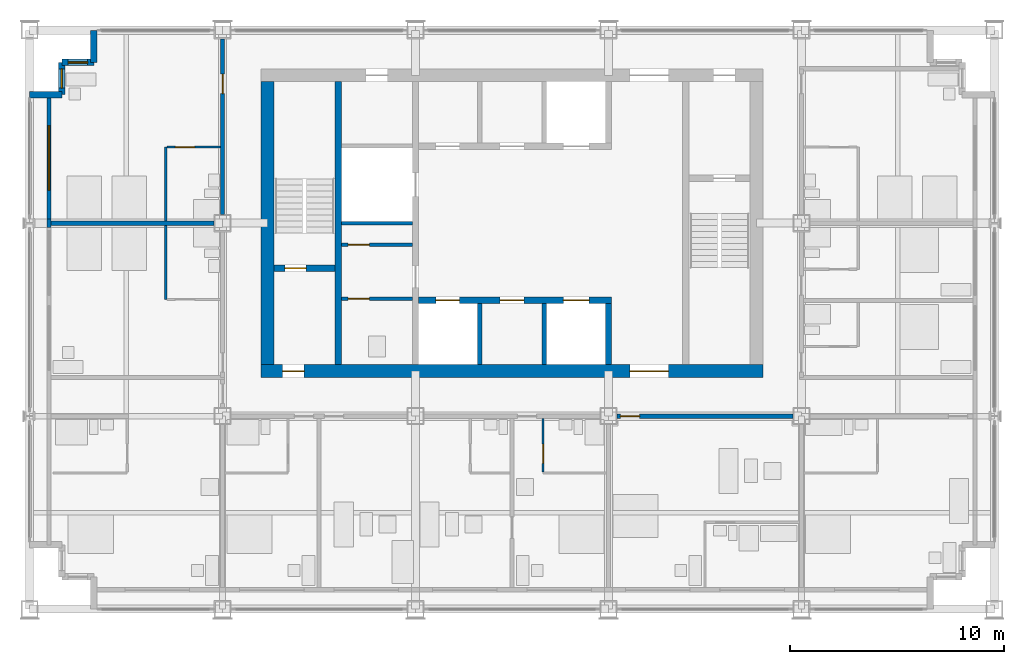
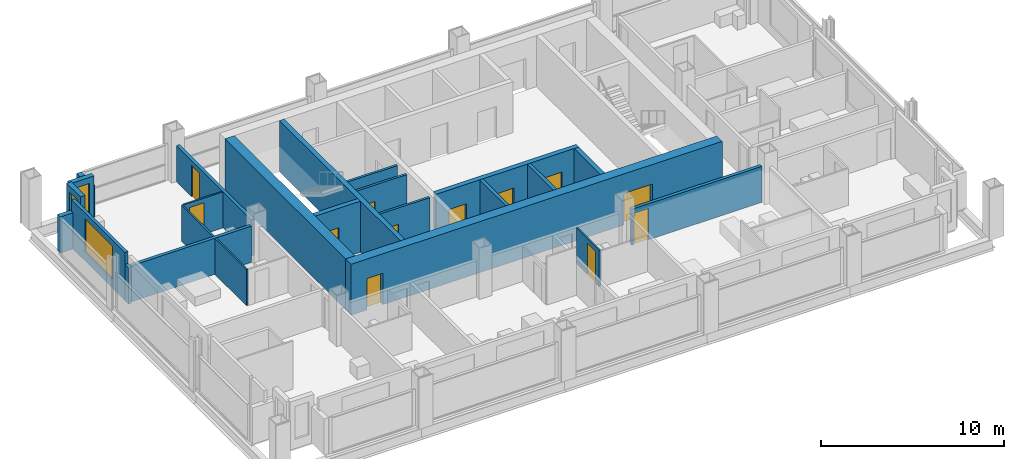
# One storey, part 8 of 13: 24 walls, 12 doors, 3 windows, 15 openings.
"""IFC4 building model written with IfcOpenShell, lengths in metres."""

import ifcopenshell
import ifcopenshell.guid

model = None  # the IFC model being written
_history = None  # IfcOwnerHistory: only IFC2X3 demands one
_inside = {}  # id of a spatial element -> (the spatial element, [elements in it])
_under = {}  # id of a project, library or spatial element -> (it, [spatial elements below it])
_declared = {}  # id of a project -> (the project, [libraries it declares])
_typed = {}  # id of a type object -> (the type object, [elements of that type])
_made_of = {}  # id of a material, layer set ... -> (it, [elements and type objects made of it])


def new_model(schema):
    """Start an empty IFC model of exactly this schema.

    Asked for "IFC4X3", IfcOpenShell would pick the latest addendum, in which some entities
    have other attributes; the version numbers below select the first issue.
    IFC2X3 requires an IfcOwnerHistory on every rooted entity: one is made here for all.
    """
    global model, _history
    if schema == "IFC4X3":
        model = ifcopenshell.file(schema_version=(4, 3, 0, 0))
    else:
        model = ifcopenshell.file(schema=schema)
    _inside.clear()
    _under.clear()
    _declared.clear()
    _typed.clear()
    _made_of.clear()
    _history = None
    if model.schema == "IFC2X3":
        org = make("IfcOrganization", Name="unknown")
        user = make(
            "IfcPersonAndOrganization",
            ThePerson=make("IfcPerson", FamilyName="unknown"),
            TheOrganization=org,
        )
        app = make(
            "IfcApplication",
            ApplicationDeveloper=org,
            Version="unknown",
            ApplicationFullName="unknown",
            ApplicationIdentifier="unknown",
        )
        _history = make(
            "IfcOwnerHistory",
            OwningUser=user,
            OwningApplication=app,
            ChangeAction="ADDED",
            CreationDate=0,
        )
    return model


def make(cls, **values):
    """One entity of the class cls with the attributes given. An attribute that is None is left unset."""
    return model.create_entity(
        cls, **{name: value for name, value in values.items() if value is not None}
    )


def rooted(cls, **values):
    """An entity with a GlobalId (a new one), such as an element, a storey or a relation."""
    return make(cls, GlobalId=ifcopenshell.guid.new(), OwnerHistory=_history, **values)


def si_unit(unit_type, name, prefix=None):
    """IfcSIUnit, for example si_unit("LENGTHUNIT", "METRE", prefix="MILLI")."""
    return make("IfcSIUnit", UnitType=unit_type, Prefix=prefix, Name=name)


def assignment(units):
    """IfcUnitAssignment: the units of a project."""
    return None if units is None else make("IfcUnitAssignment", Units=units)


def point(xyz):
    """IfcCartesianPoint."""
    return None if xyz is None else make("IfcCartesianPoint", Coordinates=xyz)


def direction(xyz):
    """IfcDirection."""
    return None if xyz is None else make("IfcDirection", DirectionRatios=xyz)


def frame(location, z_axis=None, x_axis=None):
    """IfcAxis2Placement3D, a coordinate frame: its origin and axes. An axis left out is left unset."""
    return make(
        "IfcAxis2Placement3D",
        Location=point(location),
        Axis=direction(z_axis),
        RefDirection=direction(x_axis),
    )


def frame_2d(location, x_axis=None):
    """IfcAxis2Placement2D, a coordinate frame in the plane: its origin and x axis."""
    return make(
        "IfcAxis2Placement2D", Location=point(location), RefDirection=direction(x_axis)
    )


def origin():
    """The frame at (0, 0, 0) with its axes left unset."""
    return frame((0.0, 0.0, 0.0))


def place(relative_to, where):
    """IfcLocalPlacement: puts the frame where relative to a parent placement (None: the world)."""
    return make(
        "IfcLocalPlacement", PlacementRelTo=relative_to, RelativePlacement=where
    )


def context(
    kind, dimensions, precision=None, world=None, true_north=None, identifier=None
):
    """IfcGeometricRepresentationContext, for example the 3D "Model" context."""
    return make(
        "IfcGeometricRepresentationContext",
        ContextIdentifier=identifier,
        ContextType=kind,
        CoordinateSpaceDimension=dimensions,
        Precision=precision,
        WorldCoordinateSystem=world,
        TrueNorth=true_north,
    )


def subcontext(parent, identifier, kind, view, scale=None):
    """IfcGeometricRepresentationSubContext, for example "Body" below "Model"."""
    return make(
        "IfcGeometricRepresentationSubContext",
        ContextIdentifier=identifier,
        ContextType=kind,
        ParentContext=parent,
        TargetScale=scale,
        TargetView=view,
    )


def project(units=None, contexts=None):
    """IfcProject with its units and contexts."""
    return rooted(
        "IfcProject",
        Name="project",
        RepresentationContexts=contexts,
        UnitsInContext=assignment(units),
    )


def spatial(cls, under=None, at=None, **own):
    """A site, building, storey or space (cls), placed at a placement, below another one or the project."""
    s = rooted(cls, ObjectPlacement=at, **own)
    if under is not None:
        _under.setdefault(under.id(), (under, []))[1].append(s)
    return s


def profile(cls, at=None, kind="AREA", **sizes):
    """A parametric profile (cls). Its sizes go by their IFC names, for example OverallWidth=200.0."""
    return make(cls, ProfileType=kind, Position=at, **sizes)


def rectangle(**sizes):
    """IfcRectangleProfileDef."""
    return profile("IfcRectangleProfileDef", **sizes)


def extrude(swept, where, along, depth):
    """IfcExtrudedAreaSolid: the profile swept, set in the frame where, extruded along a direction by depth."""
    return make(
        "IfcExtrudedAreaSolid",
        SweptArea=swept,
        Position=where,
        ExtrudedDirection=direction(along),
        Depth=depth,
    )


def shape(context_of_items, identifier, shape_type, items):
    """IfcShapeRepresentation: the items that make up one representation, for example the "Body"."""
    return make(
        "IfcShapeRepresentation",
        ContextOfItems=context_of_items,
        RepresentationIdentifier=identifier,
        RepresentationType=shape_type,
        Items=items,
    )


def material(Name=None, Category=None):
    """IfcMaterial."""
    return make("IfcMaterial", Name=Name, Category=Category)


def layer(
    of_material, thickness, ventilated=None, Name=None, Category=None, Priority=None
):
    """IfcMaterialLayer: one layer of a wall or slab, of a material (None: an air gap)."""
    return make(
        "IfcMaterialLayer",
        Material=of_material,
        LayerThickness=thickness,
        IsVentilated=ventilated,
        Name=Name,
        Category=Category,
        Priority=Priority,
    )


def layer_set(layers, Name=None):
    """IfcMaterialLayerSet."""
    return make("IfcMaterialLayerSet", MaterialLayers=layers, LayerSetName=Name)


def made_of(thing, what):
    """Note that an element or type object is made of a material, layer set ...; save() writes the relation."""
    if what is not None:
        _made_of.setdefault(what.id(), (what, []))[1].append(thing)
    return thing


def type_object(cls, material=None, **own):
    """A type object (cls), such as IfcWallType, which elements share."""
    return made_of(rooted(cls, **own), material)


def element(
    cls,
    number,
    at=None,
    inside=None,
    cuts=None,
    type_object=None,
    material=None,
    context=None,
    identifier="Body",
    shape_type=None,
    held_by="IfcProductDefinitionShape",
    body=None,
    shapes=None,
    **own,
):
    """One element of the class cls, such as IfcWall. Its Tag is "e" and its number.

    at: its placement. inside: the storey or other place that contains it. cuts: it is an
    opening in that element (IfcRelVoidsElement). A single representation is given by context,
    identifier, shape_type and body (its items); several are given by shapes. held_by: the class
    of the entity that holds the representations. save() writes the other relations.
    """
    e = rooted(cls, Tag="e%d" % number, ObjectPlacement=at, **own)
    if body is not None:
        shapes = [shape(context, identifier, shape_type, body)]
    if shapes is not None:
        e.Representation = make(held_by, Representations=shapes)
    if inside is not None:
        _inside.setdefault(inside.id(), (inside, []))[1].append(e)
    if cuts is not None:
        rooted(
            "IfcRelVoidsElement", RelatingBuildingElement=cuts, RelatedOpeningElement=e
        )
    if type_object is not None:
        _typed.setdefault(type_object.id(), (type_object, []))[1].append(e)
    return made_of(e, material)


def fill(opening, filler):
    """IfcRelFillsElement: the door or window that sits in an opening."""
    return rooted(
        "IfcRelFillsElement",
        RelatingOpeningElement=opening,
        RelatedBuildingElement=filler,
    )


def aggregate(whole, parts):
    """IfcRelAggregates: a whole, such as a stair, and the parts it consists of."""
    return rooted("IfcRelAggregates", RelatingObject=whole, RelatedObjects=parts)


def save(model, path):
    """Write the relations noted so far, then the file.

    IfcRelAggregates (storeys below a building ...), IfcRelContainedInSpatialStructure (elements
    in a storey), IfcRelDefinesByType, IfcRelAssociatesMaterial and IfcRelDeclares: one each for
    every whole, place, type object, material and project.
    """
    for whole, parts in _under.values():
        aggregate(whole, parts)
    for where, things in _inside.values():
        rooted(
            "IfcRelContainedInSpatialStructure",
            RelatedElements=things,
            RelatingStructure=where,
        )
    for kind, things in _typed.values():
        rooted("IfcRelDefinesByType", RelatedObjects=things, RelatingType=kind)
    for what, things in _made_of.values():
        rooted("IfcRelAssociatesMaterial", RelatedObjects=things, RelatingMaterial=what)
    for by, libraries in _declared.values():
        rooted("IfcRelDeclares", RelatingContext=by, RelatedDefinitions=libraries)
    model.write(path)


model = new_model("IFC4")

# Units and contexts
model_context = context("Model", 3, precision=1e-05, world=origin(), true_north=direction((0.0, 1.0)))
body_context = subcontext(model_context, "Body", "Model", "MODEL_VIEW")
ifc_project = project(units=[si_unit("LENGTHUNIT", "METRE"), si_unit("AREAUNIT", "SQUARE_METRE"), si_unit("VOLUMEUNIT", "CUBIC_METRE"), si_unit("PLANEANGLEUNIT", "RADIAN"), si_unit("MASSUNIT", "GRAM", prefix="KILO")], contexts=[model_context])

# Site, building, storey
site_placement = place(None, origin())
site = spatial("IfcSite", under=ifc_project, at=site_placement, CompositionType="ELEMENT")
building_placement = place(site_placement, origin())
building = spatial("IfcBuilding", under=site, at=building_placement, Name="Loomwork Tower", CompositionType="ELEMENT")
storey_placement = place(building_placement, frame((0.0, 0.0, 201.199951171875)))
storey = spatial("IfcBuildingStorey", under=building, at=storey_placement, Name="L55", CompositionType="ELEMENT", Elevation=201.199951171875)

# Wall
ifc_material_1 = material(Name="Concrete 14000 psi (97 MPa)", Category="concrete")
ifc_layer_1 = layer(ifc_material_1, 0.300048828125)
ifc_layer_set_1 = layer_set([ifc_layer_1], Name="Core shear wall 300")
wall_type_1 = type_object("IfcWallType", Name="Core shear wall 300", PredefinedType="SHEAR", material=ifc_layer_set_1)
wall_1_placement = place(storey_placement, frame((14.39990234375, 11.39990234375, 0.0), z_axis=(0.0, 0.0, 1.0), x_axis=(0.0, 1.0, 0.0)))
element("IfcWall", 1, at=wall_1_placement, inside=storey, type_object=wall_type_1, Name="Stair A east wall L55", PredefinedType="SHEAR", context=body_context, shape_type="SweptSolid", body=[
    extrude(rectangle(XDim=13.2001953125, YDim=0.300048828125, at=frame_2d((6.60009765625, 0.0))), origin(), (0.0, 0.0, 1.0), 3.400146484375),
])

# Wall, opening, door
wall_2_placement = place(storey_placement, frame((11.39990234375, 15.89990234375, 0.0), z_axis=(0.0, 0.0, 1.0), x_axis=(1.0, 0.0, 0.0)))
wall_2 = element("IfcWall", 2, at=wall_2_placement, inside=storey, type_object=wall_type_1, Name="Stair A south wall L55", PredefinedType="SHEAR", context=body_context, shape_type="SweptSolid", body=[
    extrude(rectangle(XDim=2.85009765625, YDim=0.300048828125, at=frame_2d((1.425048828125, 0.0))), origin(), (0.0, 0.0, 1.0), 3.400146484375),
])
opening_1_placement = place(wall_2_placement, frame((0.5, 0.0, 0.0)))
opening_1 = element("IfcOpeningElement", 3, at=opening_1_placement, cuts=wall_2, Name="Opening D4", PredefinedType="OPENING", context=body_context, shape_type="SweptSolid", body=[
    extrude(rectangle(XDim=1.0, YDim=2.10009765625, at=frame_2d((0.5, 1.050048828125))), frame((0.0, 0.159912109375, 0.0), z_axis=(0.0, -1.0, 0.0), x_axis=(1.0, 0.0, 0.0)), (0.0, 0.0, 1.0), 0.320068359375),
])
ifc_material_2 = material(Name="Hollow metal door and frame")
door_type_1 = type_object("IfcDoorType", Name="Stair door 1000", OperationType="SINGLE_SWING_RIGHT", PredefinedType="DOOR", material=ifc_material_2)
door_1_placement = place(opening_1_placement, origin())
door_1 = element("IfcDoor", 4, at=door_1_placement, inside=storey, type_object=door_type_1, Name="Stair A door", OperationType="SINGLE_SWING_LEFT", OverallHeight=2.10009765625, OverallWidth=1.0, PredefinedType="DOOR", context=body_context, shape_type="SweptSolid", body=[
    extrude(rectangle(XDim=1.0, YDim=2.10009765625, at=frame_2d((0.5, 1.050048828125))), frame((0.0, 0.02490234375, 0.0), z_axis=(0.0, -1.0, 0.0), x_axis=(1.0, 0.0, 0.0)), (0.0, 0.0, 1.0), 0.050048828125),
])
fill(opening_1, door_1)

# Wall, openings, doors
wall_3_placement = place(storey_placement, frame((18.14990234375, 14.39990234375, 0.0), z_axis=(0.0, 0.0, 1.0), x_axis=(1.0, 0.0, 0.0)))
wall_3 = element("IfcWall", 5, at=wall_3_placement, inside=storey, type_object=wall_type_1, Name="Lift front wall south L55", PredefinedType="SHEAR", context=body_context, shape_type="SweptSolid", body=[
    extrude(rectangle(XDim=9.0, YDim=0.300048828125, at=frame_2d((4.5, 0.0))), origin(), (0.0, 0.0, 1.0), 3.400146484375),
])
opening_2_placement = place(wall_3_placement, frame((0.800048828125, 0.0, 0.0)))
opening_2 = element("IfcOpeningElement", 6, at=opening_2_placement, cuts=wall_3, Name="Opening LD1", PredefinedType="OPENING", context=body_context, shape_type="SweptSolid", body=[
    extrude(rectangle(XDim=1.10009765625, YDim=2.10009765625, at=frame_2d((0.550048828125, 1.050048828125))), frame((0.0, 0.159912109375, 0.0), z_axis=(0.0, -1.0, 0.0), x_axis=(1.0, 0.0, 0.0)), (0.0, 0.0, 1.0), 0.320068359375),
])
opening_3_placement = place(wall_3_placement, frame((6.75, 0.0, 0.0)))
opening_3 = element("IfcOpeningElement", 7, at=opening_3_placement, cuts=wall_3, Name="Opening LD2", PredefinedType="OPENING", context=body_context, shape_type="SweptSolid", body=[
    extrude(rectangle(XDim=1.199951171875, YDim=2.10009765625, at=frame_2d((0.60009765625, 1.050048828125))), frame((0.0, 0.159912109375, 0.0), z_axis=(0.0, -1.0, 0.0), x_axis=(1.0, 0.0, 0.0)), (0.0, 0.0, 1.0), 0.320068359375),
])
opening_4_placement = place(wall_3_placement, frame((3.800048828125, 0.0, 0.0)))
opening_4 = element("IfcOpeningElement", 8, at=opening_4_placement, cuts=wall_3, Name="Opening D17", PredefinedType="OPENING", context=body_context, shape_type="SweptSolid", body=[
    extrude(rectangle(XDim=1.10009765625, YDim=2.10009765625, at=frame_2d((0.550048828125, 1.050048828125))), frame((0.0, 0.159912109375, 0.0), z_axis=(0.0, -1.0, 0.0), x_axis=(1.0, 0.0, 0.0)), (0.0, 0.0, 1.0), 0.320068359375),
])
ifc_material_3 = material(Name="Hollow metal door and frame")
door_type_2 = type_object("IfcDoorType", Name="Lift landing door 1100", OperationType="SLIDING_TO_LEFT", PredefinedType="DOOR", material=ifc_material_3)
door_2_placement = place(opening_2_placement, origin())
door_2 = element("IfcDoor", 9, at=door_2_placement, inside=storey, type_object=door_type_2, Name="Lift landing door LC1", OperationType="SLIDING_TO_LEFT", OverallHeight=2.10009765625, OverallWidth=1.10009765625, PredefinedType="DOOR", context=body_context, shape_type="SweptSolid", body=[
    extrude(rectangle(XDim=1.10009765625, YDim=2.10009765625, at=frame_2d((0.550048828125, 1.050048828125))), frame((0.0, 0.02490234375, 0.0), z_axis=(0.0, -1.0, 0.0), x_axis=(1.0, 0.0, 0.0)), (0.0, 0.0, 1.0), 0.050048828125),
])
fill(opening_2, door_2)
ifc_material_4 = material(Name="Hollow metal door and frame")
door_type_3 = type_object("IfcDoorType", Name="Lift landing door 1200", OperationType="SLIDING_TO_LEFT", PredefinedType="DOOR", material=ifc_material_4)
door_3_placement = place(opening_3_placement, origin())
door_3 = element("IfcDoor", 10, at=door_3_placement, inside=storey, type_object=door_type_3, Name="Lift landing door LF1", OperationType="SLIDING_TO_LEFT", OverallHeight=2.10009765625, OverallWidth=1.199951171875, PredefinedType="DOOR", context=body_context, shape_type="SweptSolid", body=[
    extrude(rectangle(XDim=1.199951171875, YDim=2.10009765625, at=frame_2d((0.60009765625, 1.050048828125))), frame((0.0, 0.02490234375, 0.0), z_axis=(0.0, -1.0, 0.0), x_axis=(1.0, 0.0, 0.0)), (0.0, 0.0, 1.0), 0.050048828125),
])
fill(opening_3, door_3)
ifc_material_5 = material(Name="Hollow metal door and frame")
door_type_4 = type_object("IfcDoorType", Name="Service room door 1100", OperationType="SINGLE_SWING_LEFT", PredefinedType="DOOR", material=ifc_material_5)
door_4_placement = place(opening_4_placement, frame((1.10009765625, 0.0, 0.0), z_axis=(0.0, 0.0, 1.0), x_axis=(-1.0, 0.0, 0.0)))
door_4 = element("IfcDoor", 11, at=door_4_placement, inside=storey, type_object=door_type_4, Name="Guest pantry, ice and vending door L55", OperationType="SINGLE_SWING_RIGHT", OverallHeight=2.10009765625, OverallWidth=1.10009765625, PredefinedType="DOOR", context=body_context, shape_type="SweptSolid", body=[
    extrude(rectangle(XDim=1.10009765625, YDim=2.10009765625, at=frame_2d((0.550048828125, 1.050048828125))), frame((0.0, 0.02490234375, 0.0), z_axis=(0.0, -1.0, 0.0), x_axis=(1.0, 0.0, 0.0)), (0.0, 0.0, 1.0), 0.050048828125),
])
fill(opening_4, door_4)

# Wall
wall_4_placement = place(storey_placement, frame((27.0, 11.39990234375, 0.0), z_axis=(0.0, 0.0, 1.0), x_axis=(0.0, 1.0, 0.0)))
element("IfcWall", 12, at=wall_4_placement, inside=storey, type_object=wall_type_1, Name="Lift shaft end wall south L55", PredefinedType="SHEAR", context=body_context, shape_type="SweptSolid", body=[
    extrude(rectangle(XDim=2.85009765625, YDim=0.300048828125, at=frame_2d((1.425048828125, 0.0))), origin(), (0.0, 0.0, 1.0), 3.400146484375),
])

# Wall, openings, doors
ifc_material_6 = material(Name="Concrete 14000 psi (97 MPa)", Category="concrete")
ifc_layer_2 = layer(ifc_material_6, 0.60009765625)
ifc_layer_set_2 = layer_set([ifc_layer_2], Name="Core shear wall 600")
wall_type_2 = type_object("IfcWallType", Name="Core shear wall 600", PredefinedType="SHEAR", material=ifc_layer_set_2)
wall_5_placement = place(storey_placement, frame((10.800048828125, 11.10009765625, 0.0), z_axis=(0.0, 0.0, 1.0), x_axis=(1.0, 0.0, 0.0)))
wall_5 = element("IfcWall", 13, at=wall_5_placement, inside=storey, type_object=wall_type_2, Name="Core wall south L55", PredefinedType="SHEAR", context=body_context, shape_type="SweptSolid", body=[
    extrude(rectangle(XDim=23.39990234375, YDim=0.60009765625, at=frame_2d((11.699951171875, 0.0))), origin(), (0.0, 0.0, 1.0), 3.400146484375),
])
opening_5_placement = place(wall_5_placement, frame((1.0, 0.0, 0.0)))
opening_5 = element("IfcOpeningElement", 14, at=opening_5_placement, cuts=wall_5, Name="Opening D4", PredefinedType="OPENING", context=body_context, shape_type="SweptSolid", body=[
    extrude(rectangle(XDim=1.0, YDim=2.10009765625, at=frame_2d((0.5, 1.050048828125))), frame((0.0, 0.31005859375, 0.0), z_axis=(0.0, -1.0, 0.0), x_axis=(1.0, 0.0, 0.0)), (0.0, 0.0, 1.0), 0.6201171875),
])
opening_6_placement = place(wall_5_placement, frame((17.199951171875, 0.0, 0.0)))
opening_6 = element("IfcOpeningElement", 15, at=opening_6_placement, cuts=wall_5, Name="Opening D6", PredefinedType="OPENING", context=body_context, shape_type="SweptSolid", body=[
    extrude(rectangle(XDim=1.800048828125, YDim=2.10009765625, at=frame_2d((0.89990234375, 1.050048828125))), frame((0.0, 0.31005859375, 0.0), z_axis=(0.0, -1.0, 0.0), x_axis=(1.0, 0.0, 0.0)), (0.0, 0.0, 1.0), 0.6201171875),
])
ifc_material_7 = material(Name="Hollow metal door and frame")
door_type_5 = type_object("IfcDoorType", Name="Lobby passage double door 1800", OperationType="DOUBLE_DOOR_SINGLE_SWING", PredefinedType="DOOR", material=ifc_material_7)
door_5_placement = place(opening_6_placement, origin())
door_5 = element("IfcDoor", 16, at=door_5_placement, inside=storey, type_object=door_type_5, Name="Lobby passage door south", OperationType="DOUBLE_DOOR_SINGLE_SWING", OverallHeight=2.10009765625, OverallWidth=1.800048828125, PredefinedType="DOOR", context=body_context, shape_type="SweptSolid", body=[
    extrude(rectangle(XDim=1.800048828125, YDim=2.10009765625, at=frame_2d((0.89990234375, 1.050048828125))), frame((0.0, 0.02490234375, 0.0), z_axis=(0.0, -1.0, 0.0), x_axis=(1.0, 0.0, 0.0)), (0.0, 0.0, 1.0), 0.050048828125),
])
fill(opening_6, door_5)
door_6_placement = place(opening_5_placement, origin())
door_6 = element("IfcDoor", 17, at=door_6_placement, inside=storey, type_object=door_type_1, Name="Stair A vestibule door", OperationType="SINGLE_SWING_LEFT", OverallHeight=2.10009765625, OverallWidth=1.0, PredefinedType="DOOR", context=body_context, shape_type="SweptSolid", body=[
    extrude(rectangle(XDim=1.0, YDim=2.10009765625, at=frame_2d((0.5, 1.050048828125))), frame((0.0, 0.02490234375, 0.0), z_axis=(0.0, -1.0, 0.0), x_axis=(1.0, 0.0, 0.0)), (0.0, 0.0, 1.0), 0.050048828125),
])
fill(opening_5, door_6)

# Wall
wall_6_placement = place(storey_placement, frame((11.10009765625, 11.39990234375, 0.0), z_axis=(0.0, 0.0, 1.0), x_axis=(0.0, 1.0, 0.0)))
element("IfcWall", 18, at=wall_6_placement, inside=storey, type_object=wall_type_2, Name="Core wall west L55", PredefinedType="SHEAR", context=body_context, shape_type="SweptSolid", body=[
    extrude(rectangle(XDim=13.2001953125, YDim=0.60009765625, at=frame_2d((6.60009765625, 0.0))), origin(), (0.0, 0.0, 1.0), 3.400146484375),
])

# Wall, opening, door
ifc_material_8 = material(Name="Gypsum board on steel studs, one-hour", Category="steel")
ifc_layer_3 = layer(ifc_material_8, 0.199951171875)
ifc_layer_set_3 = layer_set([ifc_layer_3], Name="Corridor wall 200")
wall_type_3 = type_object("IfcWallType", Name="Corridor wall 200", PredefinedType="PARTITIONING", material=ifc_layer_set_3)
wall_7_placement = place(storey_placement, frame((27.39990234375, 9.0, 0.0), z_axis=(0.0, 0.0, 1.0), x_axis=(1.0, 0.0, 0.0)))
wall_7 = element("IfcWall", 19, at=wall_7_placement, inside=storey, type_object=wall_type_3, Name="South corridor wall 4", PredefinedType="PARTITIONING", context=body_context, shape_type="SweptSolid", body=[
    extrude(rectangle(XDim=8.2001953125, YDim=0.199951171875, at=frame_2d((4.10009765625, 0.0))), origin(), (0.0, 0.0, 1.0), 2.405029296875),
])
opening_7_placement = place(wall_7_placement, frame((0.14990234375, 0.0, 0.0)))
opening_7 = element("IfcOpeningElement", 20, at=opening_7_placement, cuts=wall_7, Name="Opening D1", PredefinedType="OPENING", context=body_context, shape_type="SweptSolid", body=[
    extrude(rectangle(XDim=0.89990234375, YDim=2.10009765625, at=frame_2d((0.449951171875, 1.050048828125))), frame((0.0, 0.10986328125, 0.0), z_axis=(0.0, -1.0, 0.0), x_axis=(1.0, 0.0, 0.0)), (0.0, 0.0, 1.0), 0.219970703125),
])
ifc_material_9 = material(Name="Hollow metal door and frame")
door_type_6 = type_object("IfcDoorType", Name="Guest room entry door 900", OperationType="SINGLE_SWING_LEFT", PredefinedType="DOOR", material=ifc_material_9)
door_7_placement = place(opening_7_placement, frame((0.89990234375, 0.0, 0.0), z_axis=(0.0, 0.0, 1.0), x_axis=(-1.0, 0.0, 0.0)))
door_7 = element("IfcDoor", 21, at=door_7_placement, inside=storey, type_object=door_type_6, Name="Guest room entry door L55 5", OperationType="SINGLE_SWING_RIGHT", OverallHeight=2.10009765625, OverallWidth=0.89990234375, PredefinedType="DOOR", context=body_context, shape_type="SweptSolid", body=[
    extrude(rectangle(XDim=0.89990234375, YDim=2.10009765625, at=frame_2d((0.449951171875, 1.050048828125))), frame((0.0, 0.02490234375, 0.0), z_axis=(0.0, -1.0, 0.0), x_axis=(1.0, 0.0, 0.0)), (0.0, 0.0, 1.0), 0.050048828125),
])
fill(opening_7, door_7)

wall_8_placement = place(storey_placement, frame((9.0, 18.39990234375, 0.0), z_axis=(0.0, 0.0, 1.0), x_axis=(0.0, 1.0, 0.0)))
wall_8 = element("IfcWall", 22, at=wall_8_placement, inside=storey, type_object=wall_type_3, Name="West corridor wall 2", PredefinedType="PARTITIONING", context=body_context, shape_type="SweptSolid", body=[
    extrude(rectangle(XDim=8.2001953125, YDim=0.199951171875, at=frame_2d((4.10009765625, 0.0))), origin(), (0.0, 0.0, 1.0), 2.405029296875),
])
opening_8_placement = place(wall_8_placement, frame((5.64990234375, 0.0, 0.0)))
opening_8 = element("IfcOpeningElement", 23, at=opening_8_placement, cuts=wall_8, Name="Opening D1", PredefinedType="OPENING", context=body_context, shape_type="SweptSolid", body=[
    extrude(rectangle(XDim=0.89990234375, YDim=2.10009765625, at=frame_2d((0.449951171875, 1.050048828125))), frame((0.0, 0.10986328125, 0.0), z_axis=(0.0, -1.0, 0.0), x_axis=(1.0, 0.0, 0.0)), (0.0, 0.0, 1.0), 0.219970703125),
])
door_8_placement = place(opening_8_placement, origin())
door_8 = element("IfcDoor", 24, at=door_8_placement, inside=storey, type_object=door_type_6, Name="Guest room entry door L55 8", OperationType="SINGLE_SWING_RIGHT", OverallHeight=2.10009765625, OverallWidth=0.89990234375, PredefinedType="DOOR", context=body_context, shape_type="SweptSolid", body=[
    extrude(rectangle(XDim=0.89990234375, YDim=2.10009765625, at=frame_2d((0.449951171875, 1.050048828125))), frame((0.0, 0.02490234375, 0.0), z_axis=(0.0, -1.0, 0.0), x_axis=(1.0, 0.0, 0.0)), (0.0, 0.0, 1.0), 0.050048828125),
])
fill(opening_8, door_8)

ifc_material_10 = material(Name="Cement board on steel studs", Category="steel")
ifc_layer_4 = layer(ifc_material_10, 0.10009765625)
ifc_layer_set_4 = layer_set([ifc_layer_4], Name="En-suite partition 100")
wall_type_4 = type_object("IfcWallType", Name="En-suite partition 100", PredefinedType="PARTITIONING", material=ifc_layer_set_4)
wall_9_placement = place(storey_placement, frame((23.949951171875, 8.89990234375, 0.0), z_axis=(0.0, 0.0, 1.0), x_axis=(0.0, -1.0, 0.0)))
wall_9 = element("IfcWall", 25, at=wall_9_placement, inside=storey, type_object=wall_type_4, Name="En-suite side wall L55 room 4", PredefinedType="PARTITIONING", context=body_context, shape_type="SweptSolid", body=[
    extrude(rectangle(XDim=2.5, YDim=0.10009765625, at=frame_2d((1.25, 0.0))), origin(), (0.0, 0.0, 1.0), 2.404052734375),
])
opening_9_placement = place(wall_9_placement, frame((1.199951171875, 0.0, 0.0)))
opening_9 = element("IfcOpeningElement", 26, at=opening_9_placement, cuts=wall_9, Name="Opening D2", PredefinedType="OPENING", context=body_context, shape_type="SweptSolid", body=[
    extrude(rectangle(XDim=0.89990234375, YDim=2.10009765625, at=frame_2d((0.449951171875, 1.050048828125))), frame((0.0, 0.06005859375, 0.0), z_axis=(0.0, -1.0, 0.0), x_axis=(1.0, 0.0, 0.0)), (0.0, 0.0, 1.0), 0.1201171875),
])
ifc_material_11 = material(Name="Hollow metal door and frame")
door_type_7 = type_object("IfcDoorType", Name="En-suite door 900", OperationType="SINGLE_SWING_LEFT", PredefinedType="DOOR", material=ifc_material_11)
door_9_placement = place(opening_9_placement, origin())
door_9 = element("IfcDoor", 27, at=door_9_placement, inside=storey, type_object=door_type_7, Name="En-suite door room 4", OperationType="SINGLE_SWING_RIGHT", OverallHeight=2.10009765625, OverallWidth=0.89990234375, PredefinedType="DOOR", context=body_context, shape_type="SweptSolid", body=[
    extrude(rectangle(XDim=0.89990234375, YDim=2.10009765625, at=frame_2d((0.449951171875, 1.050048828125))), frame((0.0, 0.02490234375, 0.0), z_axis=(0.0, -1.0, 0.0), x_axis=(1.0, 0.0, 0.0)), (0.0, 0.0, 1.0), 0.050048828125),
])
fill(opening_9, door_9)

# Walls
for number, where, z_axis, x_axis, name in (
    (28, (6.35009765625, 14.449951171875, 0.0), (0.0, 0.0, 1.0), (0.0, 1.0, 0.0), "En-suite wall L55 room 7"),
    (29, (6.35009765625, 18.10009765625, 0.0), (0.0, 0.0, 1.0), (0.0, 1.0, 0.0), "En-suite wall L55 room 8"),
):
    element("IfcWall", number, at=place(storey_placement, frame(where, z_axis=z_axis, x_axis=x_axis)), inside=storey, type_object=wall_type_4, Name=name, PredefinedType="PARTITIONING", context=body_context, shape_type="SweptSolid", body=[
        extrude(rectangle(XDim=3.449951171875, YDim=0.10009765625, at=frame_2d((1.72509765625, 0.0))), origin(), (0.0, 0.0, 1.0), 2.404052734375),
    ])

# Wall, opening, door
wall_10_placement = place(storey_placement, frame((8.89990234375, 21.550048828125, 0.0), z_axis=(0.0, 0.0, 1.0), x_axis=(-1.0, 0.0, 0.0)))
wall_10 = element("IfcWall", 30, at=wall_10_placement, inside=storey, type_object=wall_type_4, Name="En-suite side wall L55 room 8", PredefinedType="PARTITIONING", context=body_context, shape_type="SweptSolid", body=[
    extrude(rectangle(XDim=2.5, YDim=0.10009765625, at=frame_2d((1.25, 0.0))), origin(), (0.0, 0.0, 1.0), 2.404052734375),
])
opening_10_placement = place(wall_10_placement, frame((1.199951171875, 0.0, 0.0)))
opening_10 = element("IfcOpeningElement", 31, at=opening_10_placement, cuts=wall_10, Name="Opening D2", PredefinedType="OPENING", context=body_context, shape_type="SweptSolid", body=[
    extrude(rectangle(XDim=0.89990234375, YDim=2.10009765625, at=frame_2d((0.449951171875, 1.050048828125))), frame((0.0, 0.06005859375, 0.0), z_axis=(0.0, -1.0, 0.0), x_axis=(1.0, 0.0, 0.0)), (0.0, 0.0, 1.0), 0.1201171875),
])
door_10_placement = place(opening_10_placement, origin())
door_10 = element("IfcDoor", 32, at=door_10_placement, inside=storey, type_object=door_type_7, Name="En-suite door room 8", OperationType="SINGLE_SWING_RIGHT", OverallHeight=2.10009765625, OverallWidth=0.89990234375, PredefinedType="DOOR", context=body_context, shape_type="SweptSolid", body=[
    extrude(rectangle(XDim=0.89990234375, YDim=2.10009765625, at=frame_2d((0.449951171875, 1.050048828125))), frame((0.0, 0.02490234375, 0.0), z_axis=(0.0, -1.0, 0.0), x_axis=(1.0, 0.0, 0.0)), (0.0, 0.0, 1.0), 0.050048828125),
])
fill(opening_10, door_10)

# Walls
ifc_material_12 = material(Name="Gypsum board on steel studs, acoustic", Category="steel")
ifc_layer_5 = layer(ifc_material_12, 0.199951171875)
ifc_layer_set_5 = layer_set([ifc_layer_5], Name="Guest room party wall 200")
wall_type_5 = type_object("IfcWallType", Name="Guest room party wall 200", PredefinedType="PARTITIONING", material=ifc_layer_set_5)
wall_11_placement = place(storey_placement, frame((8.60009765625, 18.0, 0.0), z_axis=(0.0, 0.0, 1.0), x_axis=(-1.0, 0.0, 0.0)))
element("IfcWall", 33, at=wall_11_placement, inside=storey, type_object=wall_type_5, Name="Guest room party wall W 18", PredefinedType="PARTITIONING", context=body_context, shape_type="SweptSolid", body=[
    extrude(rectangle(XDim=7.60009765625, YDim=0.199951171875, at=frame_2d((3.800048828125, 0.0))), origin(), (0.0, 0.0, 1.0), 2.405029296875),
])
ifc_material_13 = material(Name="Insulated steel stud wall with gypsum lining", Category="steel")
ifc_layer_6 = layer(ifc_material_13, 0.199951171875)
ifc_layer_set_6 = layer_set([ifc_layer_6], Name="Inner skin wall 200")
wall_type_6 = type_object("IfcWallType", Name="Inner skin wall 200", PredefinedType="SOLIDWALL", material=ifc_layer_set_6)
wall_12_placement = place(storey_placement, frame((0.89990234375, 17.80615234375, 0.0), z_axis=(0.0, 0.0, 1.0), x_axis=(0.0, 1.0, 0.0)))
element("IfcWall", 34, at=wall_12_placement, inside=storey, type_object=wall_type_6, Name="Inner skin wall W bay 6", PredefinedType="SOLIDWALL", context=body_context, shape_type="SweptSolid", body=[
    extrude(rectangle(XDim=0.3876953125, YDim=0.199951171875, at=frame_2d((0.19384765625, 0.0))), origin(), (0.0, 0.0, 1.0), 2.404052734375),
])

# Wall, opening, window
wall_13_placement = place(storey_placement, frame((0.89990234375, 18.19384765625, 0.0), z_axis=(0.0, 0.0, 1.0), x_axis=(0.0, 1.0, 0.0)))
wall_13 = element("IfcWall", 35, at=wall_13_placement, inside=storey, type_object=wall_type_6, Name="Inner skin wall W bay 7", PredefinedType="SOLIDWALL", context=body_context, shape_type="SweptSolid", body=[
    extrude(rectangle(XDim=5.80615234375, YDim=0.199951171875, at=frame_2d((2.903076171875, 0.0))), origin(), (0.0, 0.0, 1.0), 3.199951171875),
])
opening_11_placement = place(wall_13_placement, frame((1.356201171875, 0.0, 0.60009765625)))
opening_11 = element("IfcOpeningElement", 36, at=opening_11_placement, cuts=wall_13, Name="Opening CH1", PredefinedType="OPENING", context=body_context, shape_type="SweptSolid", body=[
    extrude(rectangle(XDim=3.0, YDim=2.199951171875, at=frame_2d((1.5, 1.10009765625))), frame((0.0, 0.10986328125, 0.0), z_axis=(0.0, -1.0, 0.0), x_axis=(1.0, 0.0, 0.0)), (0.0, 0.0, 1.0), 0.219970703125),
])
ifc_material_14 = material(Name="Aluminium frame with clear insulated glass", Category="aluminium")
window_type_1 = type_object("IfcWindowType", Name="Chicago window 3000", PartitioningType="TRIPLE_PANEL_VERTICAL", PredefinedType="WINDOW", material=ifc_material_14)
window_1_placement = place(opening_11_placement, origin())
window_1 = element("IfcWindow", 37, at=window_1_placement, inside=storey, type_object=window_type_1, Name="Chicago window L55 bay 7", OverallHeight=2.199951171875, OverallWidth=3.0, PartitioningType="TRIPLE_PANEL_VERTICAL", PredefinedType="WINDOW", context=body_context, shape_type="SweptSolid", body=[
    extrude(rectangle(XDim=3.0, YDim=2.199951171875, at=frame_2d((1.5, 1.10009765625))), frame((0.0, 0.030029296875, 0.0), z_axis=(0.0, -1.0, 0.0), x_axis=(1.0, 0.0, 0.0)), (0.0, 0.0, 1.0), 0.06005859375),
])
fill(opening_11, window_1)

# Walls
ifc_material_15 = material(Name="Concrete 14000 psi (97 MPa)", Category="concrete")
ifc_layer_7 = layer(ifc_material_15, 0.199951171875)
ifc_layer_set_7 = layer_set([ifc_layer_7], Name="Lift shaft wall 200")
wall_type_7 = type_object("IfcWallType", Name="Lift shaft wall 200", PredefinedType="SHEAR", material=ifc_layer_set_7)
for number, where, z_axis, x_axis, name in (
    (38, (21.0, 11.39990234375, 0.0), (0.0, 0.0, 1.0), (0.0, 1.0, 0.0), "Lift shaft separation wall south 1 L55"),
    (39, (24.0, 11.39990234375, 0.0), (0.0, 0.0, 1.0), (0.0, 1.0, 0.0), "Lift shaft separation wall south 2 L55"),
):
    element("IfcWall", number, at=place(storey_placement, frame(where, z_axis=z_axis, x_axis=x_axis)), inside=storey, type_object=wall_type_7, Name=name, PredefinedType="SHEAR", context=body_context, shape_type="SweptSolid", body=[
        extrude(rectangle(XDim=2.85009765625, YDim=0.199951171875, at=frame_2d((1.425048828125, 0.0))), origin(), (0.0, 0.0, 1.0), 3.400146484375),
    ])
ifc_material_16 = material(Name="Limestone on concrete masonry", Category="masonry")
ifc_layer_8 = layer(ifc_material_16, 0.300048828125)
ifc_layer_set_8 = layer_set([ifc_layer_8], Name="Limestone corner wall 300")
wall_type_8 = type_object("IfcWallType", Name="Limestone corner wall 300", PredefinedType="SOLIDWALL", material=ifc_layer_set_8)
wall_14_placement = place(storey_placement, frame((3.0, 27.0, 0.0), z_axis=(0.0, 0.0, 1.0), x_axis=(0.0, -1.0, 0.0)))
element("IfcWall", 40, at=wall_14_placement, inside=storey, type_object=wall_type_8, Name="Stone corner wall NW 1", PredefinedType="SOLIDWALL", context=body_context, shape_type="SweptSolid", body=[
    extrude(rectangle(XDim=1.5, YDim=0.300048828125, at=frame_2d((0.75, 0.0))), origin(), (0.0, 0.0, 1.0), 2.420166015625),
])

# Wall, opening, window
wall_15_placement = place(storey_placement, frame((3.0, 25.5, 0.0), z_axis=(0.0, 0.0, 1.0), x_axis=(-1.0, 0.0, 0.0)))
wall_15 = element("IfcWall", 41, at=wall_15_placement, inside=storey, type_object=wall_type_8, Name="Stone corner wall NW 2", PredefinedType="SOLIDWALL", context=body_context, shape_type="SweptSolid", body=[
    extrude(rectangle(XDim=1.5, YDim=0.300048828125, at=frame_2d((0.75, 0.0))), origin(), (0.0, 0.0, 1.0), 3.199951171875),
])
opening_12_placement = place(wall_15_placement, frame((0.300048828125, 0.0, 0.60009765625)))
opening_12 = element("IfcOpeningElement", 42, at=opening_12_placement, cuts=wall_15, Name="Opening CH2", PredefinedType="OPENING", context=body_context, shape_type="SweptSolid", body=[
    extrude(rectangle(XDim=0.89990234375, YDim=2.199951171875, at=frame_2d((0.449951171875, 1.10009765625))), frame((0.0, 0.159912109375, 0.0), z_axis=(0.0, -1.0, 0.0), x_axis=(1.0, 0.0, 0.0)), (0.0, 0.0, 1.0), 0.320068359375),
])
ifc_material_17 = material(Name="Aluminium frame with clear insulated glass", Category="aluminium")
window_type_2 = type_object("IfcWindowType", Name="Corner window 900", PartitioningType="SINGLE_PANEL", PredefinedType="WINDOW", material=ifc_material_17)
window_2_placement = place(opening_12_placement, origin())
window_2 = element("IfcWindow", 43, at=window_2_placement, inside=storey, type_object=window_type_2, Name="Corner window NW", OverallHeight=2.199951171875, OverallWidth=0.89990234375, PartitioningType="SINGLE_PANEL", PredefinedType="WINDOW", context=body_context, shape_type="SweptSolid", body=[
    extrude(rectangle(XDim=0.89990234375, YDim=2.199951171875, at=frame_2d((0.449951171875, 1.10009765625))), frame((0.0, 0.030029296875, 0.0), z_axis=(0.0, -1.0, 0.0), x_axis=(1.0, 0.0, 0.0)), (0.0, 0.0, 1.0), 0.06005859375),
])
fill(opening_12, window_2)

wall_16_placement = place(storey_placement, frame((1.5, 25.5, 0.0), z_axis=(0.0, 0.0, 1.0), x_axis=(0.0, -1.0, 0.0)))
wall_16 = element("IfcWall", 44, at=wall_16_placement, inside=storey, type_object=wall_type_8, Name="Stone corner wall NW 3", PredefinedType="SOLIDWALL", context=body_context, shape_type="SweptSolid", body=[
    extrude(rectangle(XDim=1.5, YDim=0.300048828125, at=frame_2d((0.75, 0.0))), origin(), (0.0, 0.0, 1.0), 3.199951171875),
])
opening_13_placement = place(wall_16_placement, frame((0.300048828125, 0.0, 0.60009765625)))
opening_13 = element("IfcOpeningElement", 45, at=opening_13_placement, cuts=wall_16, Name="Opening CH2", PredefinedType="OPENING", context=body_context, shape_type="SweptSolid", body=[
    extrude(rectangle(XDim=0.89990234375, YDim=2.199951171875, at=frame_2d((0.449951171875, 1.10009765625))), frame((0.0, 0.159912109375, 0.0), z_axis=(0.0, -1.0, 0.0), x_axis=(1.0, 0.0, 0.0)), (0.0, 0.0, 1.0), 0.320068359375),
])
window_3_placement = place(opening_13_placement, origin())
window_3 = element("IfcWindow", 46, at=window_3_placement, inside=storey, type_object=window_type_2, Name="Corner window NW", OverallHeight=2.199951171875, OverallWidth=0.89990234375, PartitioningType="SINGLE_PANEL", PredefinedType="WINDOW", context=body_context, shape_type="SweptSolid", body=[
    extrude(rectangle(XDim=0.89990234375, YDim=2.199951171875, at=frame_2d((0.449951171875, 1.10009765625))), frame((0.0, 0.030029296875, 0.0), z_axis=(0.0, -1.0, 0.0), x_axis=(1.0, 0.0, 0.0)), (0.0, 0.0, 1.0), 0.06005859375),
])
fill(opening_13, window_3)

# Walls
wall_17_placement = place(storey_placement, frame((1.5, 24.0, 0.0), z_axis=(0.0, 0.0, 1.0), x_axis=(-1.0, 0.0, 0.0)))
element("IfcWall", 47, at=wall_17_placement, inside=storey, type_object=wall_type_8, Name="Stone corner wall NW 4", PredefinedType="SOLIDWALL", context=body_context, shape_type="SweptSolid", body=[
    extrude(rectangle(XDim=1.5, YDim=0.300048828125, at=frame_2d((0.75, 0.0))), origin(), (0.0, 0.0, 1.0), 2.420166015625),
])
ifc_material_18 = material(Name="Gypsum board on steel studs", Category="steel")
ifc_layer_9 = layer(ifc_material_18, 0.14990234375)
ifc_layer_set_9 = layer_set([ifc_layer_9], Name="Partition 150 two-hour")
wall_type_9 = type_object("IfcWallType", Name="Partition 150 two-hour", PredefinedType="PARTITIONING", material=ifc_layer_set_9)
wall_18_placement = place(storey_placement, frame((14.550048828125, 18.0, 0.0), z_axis=(0.0, 0.0, 1.0), x_axis=(1.0, 0.0, 0.0)))
element("IfcWall", 48, at=wall_18_placement, inside=storey, type_object=wall_type_9, Name="Back-of-house dividing wall L55", PredefinedType="PARTITIONING", context=body_context, shape_type="SweptSolid", body=[
    extrude(rectangle(XDim=3.300048828125, YDim=0.14990234375, at=frame_2d((1.64990234375, 0.0))), origin(), (0.0, 0.0, 1.0), 3.199951171875),
])

# Wall, opening, door
ifc_material_19 = material(Name="Gypsum board on steel studs, one-hour", Category="steel")
ifc_layer_10 = layer(ifc_material_19, 0.14990234375)
ifc_layer_set_10 = layer_set([ifc_layer_10], Name="Service partition 150")
wall_type_10 = type_object("IfcWallType", Name="Service partition 150", PredefinedType="PARTITIONING", material=ifc_layer_set_10)
wall_19_placement = place(storey_placement, frame((14.550048828125, 17.0, 0.0), z_axis=(0.0, 0.0, 1.0), x_axis=(1.0, 0.0, 0.0)))
wall_19 = element("IfcWall", 49, at=wall_19_placement, inside=storey, type_object=wall_type_10, Name="Riser enclosure L55", PredefinedType="PARTITIONING", context=body_context, shape_type="SweptSolid", body=[
    extrude(rectangle(XDim=3.300048828125, YDim=0.14990234375, at=frame_2d((1.64990234375, 0.0))), origin(), (0.0, 0.0, 1.0), 3.199951171875),
])
opening_14_placement = place(wall_19_placement, frame((0.300048828125, 0.0, 0.0)))
opening_14 = element("IfcOpeningElement", 50, at=opening_14_placement, cuts=wall_19, Name="Opening D18", PredefinedType="OPENING", context=body_context, shape_type="SweptSolid", body=[
    extrude(rectangle(XDim=1.0, YDim=2.10009765625, at=frame_2d((0.5, 1.050048828125))), frame((0.0, 0.0849609375, 0.0), z_axis=(0.0, -1.0, 0.0), x_axis=(1.0, 0.0, 0.0)), (0.0, 0.0, 1.0), 0.169921875),
])
ifc_material_20 = material(Name="Hollow metal door and frame")
door_type_8 = type_object("IfcDoorType", Name="Ninety-minute service door 1000", OperationType="SINGLE_SWING_LEFT", PredefinedType="DOOR", material=ifc_material_20)
door_11_placement = place(opening_14_placement, frame((1.0, 0.0, 0.0), z_axis=(0.0, 0.0, 1.0), x_axis=(-1.0, 0.0, 0.0)))
door_11 = element("IfcDoor", 51, at=door_11_placement, inside=storey, type_object=door_type_8, Name="Riser access door", OperationType="SINGLE_SWING_RIGHT", OverallHeight=2.10009765625, OverallWidth=1.0, PredefinedType="DOOR", context=body_context, shape_type="SweptSolid", body=[
    extrude(rectangle(XDim=1.0, YDim=2.10009765625, at=frame_2d((0.5, 1.050048828125))), frame((0.0, 0.02490234375, 0.0), z_axis=(0.0, -1.0, 0.0), x_axis=(1.0, 0.0, 0.0)), (0.0, 0.0, 1.0), 0.050048828125),
])
fill(opening_14, door_11)

wall_20_placement = place(storey_placement, frame((14.550048828125, 14.47509765625, 0.0), z_axis=(0.0, 0.0, 1.0), x_axis=(1.0, 0.0, 0.0)))
wall_20 = element("IfcWall", 52, at=wall_20_placement, inside=storey, type_object=wall_type_10, Name="Back-of-house partition L55", PredefinedType="PARTITIONING", context=body_context, shape_type="SweptSolid", body=[
    extrude(rectangle(XDim=3.300048828125, YDim=0.14990234375, at=frame_2d((1.64990234375, 0.0))), origin(), (0.0, 0.0, 1.0), 3.199951171875),
])
opening_15_placement = place(wall_20_placement, frame((0.300048828125, 0.0, 0.0)))
opening_15 = element("IfcOpeningElement", 53, at=opening_15_placement, cuts=wall_20, Name="Opening D5", PredefinedType="OPENING", context=body_context, shape_type="SweptSolid", body=[
    extrude(rectangle(XDim=1.0, YDim=2.10009765625, at=frame_2d((0.5, 1.050048828125))), frame((0.0, 0.0849609375, 0.0), z_axis=(0.0, -1.0, 0.0), x_axis=(1.0, 0.0, 0.0)), (0.0, 0.0, 1.0), 0.169921875),
])
ifc_material_21 = material(Name="Hollow metal door and frame")
door_type_9 = type_object("IfcDoorType", Name="Service door 1000", OperationType="SINGLE_SWING_LEFT", PredefinedType="DOOR", material=ifc_material_21)
door_12_placement = place(opening_15_placement, origin())
door_12 = element("IfcDoor", 54, at=door_12_placement, inside=storey, type_object=door_type_9, Name="Back-of-house room door", OperationType="SINGLE_SWING_LEFT", OverallHeight=2.10009765625, OverallWidth=1.0, PredefinedType="DOOR", context=body_context, shape_type="SweptSolid", body=[
    extrude(rectangle(XDim=1.0, YDim=2.10009765625, at=frame_2d((0.5, 1.050048828125))), frame((0.0, 0.02490234375, 0.0), z_axis=(0.0, -1.0, 0.0), x_axis=(1.0, 0.0, 0.0)), (0.0, 0.0, 1.0), 0.050048828125),
])
fill(opening_15, door_12)

save(model, "model.ifc")
